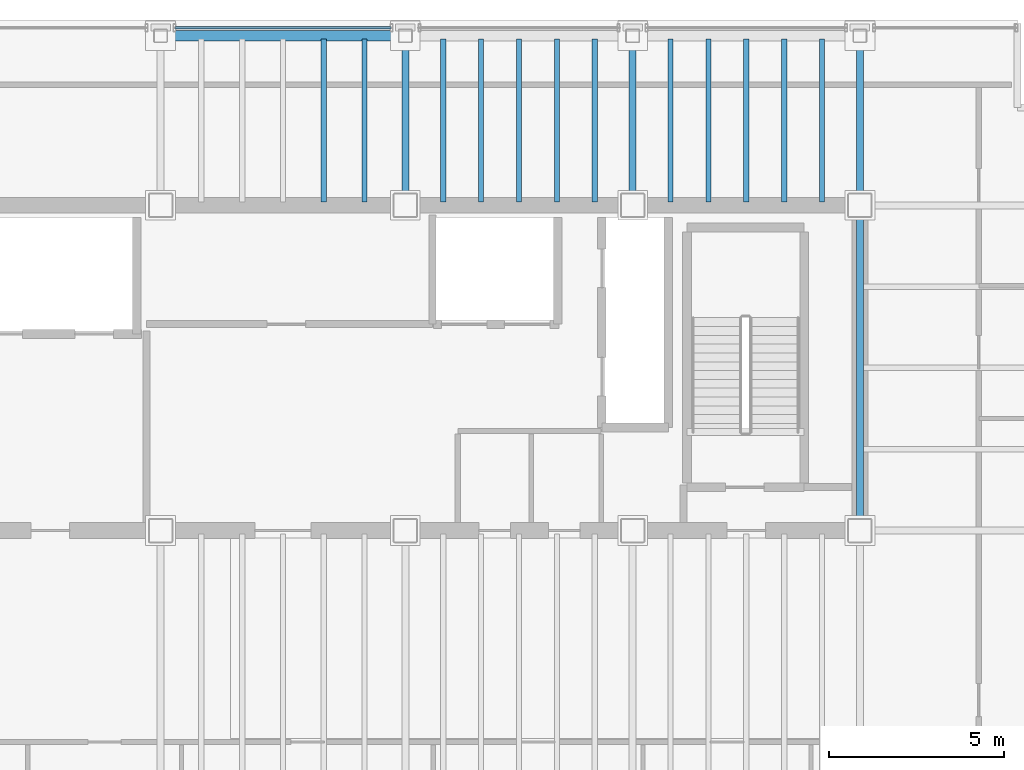
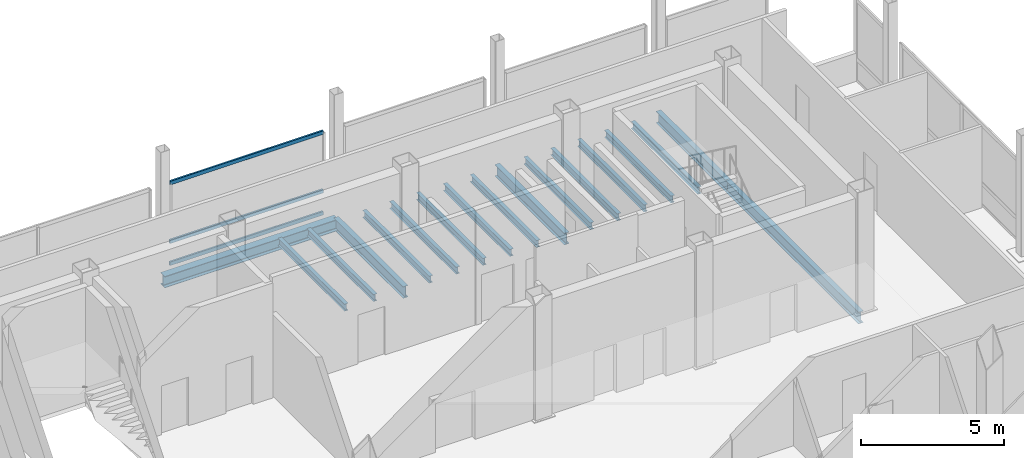
# One storey, part 10 of 17: 17 beams, 3 members, 1 element without a shape of its own.
"""IFC4 building model written with IfcOpenShell, lengths in metres."""

from ifc_helpers import new_model, si_unit, direction, frame, origin, origin_2d, place, context, subcontext, project, spatial, hollow_rectangle, i_section, extrude, material, material_profile, profile_set, type_object, element, aggregate, save


model = new_model("IFC4")

# Units and contexts
model_context = context("Model", 3, precision=1e-05, world=origin(), true_north=direction((0.0, 1.0)))
body_context = subcontext(model_context, "Body", "Model", "MODEL_VIEW")
ifc_project = project(units=[si_unit("LENGTHUNIT", "METRE"), si_unit("AREAUNIT", "SQUARE_METRE"), si_unit("VOLUMEUNIT", "CUBIC_METRE"), si_unit("PLANEANGLEUNIT", "RADIAN"), si_unit("MASSUNIT", "GRAM", prefix="KILO")], contexts=[model_context])

# Site, building, storey
site_placement = place(None, origin())
site = spatial("IfcSite", under=ifc_project, at=site_placement, CompositionType="ELEMENT")
building_placement = place(site_placement, origin())
building = spatial("IfcBuilding", under=site, at=building_placement, Name="Noeulbin Bourse Tower", CompositionType="ELEMENT")
storey_placement = place(building_placement, frame((0.0, 0.0, 300.800048828125)))
storey = spatial("IfcBuildingStorey", under=building, at=storey_placement, Name="L75", CompositionType="ELEMENT", Elevation=300.800048828125)

# Beams
ifc_material_1 = material(Name="Steel S355", Category="steel")
ifc_material_profile_1 = material_profile(ifc_material_1, i_section(OverallWidth=0.199951171875, OverallDepth=0.5, WebThickness=0.010009765625, FlangeThickness=0.01611328125, FilletRadius=0.02001953125, at=origin_2d()), Name="H-500x200x10x16", Category="LoadBearing")
ifc_profile_set_1 = profile_set([ifc_material_profile_1], Name="Steel S355")
beam_type_1 = type_object("IfcBeamType", Name="BM-GRD-500", PredefinedType="USERDEFINED", material=ifc_profile_set_1)
for number, where, z_axis, x_axis, name in (
    (1, (31.0, 38.300048828125, -0.429931640625), (0.0, 1.0, 0.0), (-1.0, 0.0, 0.0), "Tower Primary Girder NS L75-3.4"),
    (2, (37.5, 38.300048828125, -0.429931640625), (0.0, 1.0, 0.0), (-1.0, 0.0, 0.0), "Tower Primary Girder NS L75-4.4"),
):
    element("IfcBeam", number, at=place(storey_placement, frame(where, z_axis=z_axis, x_axis=x_axis)), inside=storey, type_object=beam_type_1, Name=name, ObjectType="GIRDER", PredefinedType="USERDEFINED", context=body_context, shape_type="SweptSolid", body=[
        extrude(i_section(OverallWidth=0.199951171875, OverallDepth=0.5, WebThickness=0.010009765625, FlangeThickness=0.01611328125, FilletRadius=0.02001953125, at=origin_2d()), origin(), (0.0, 0.0, 1.0), 4.849853515625),
    ])
beam_1_placement = place(storey_placement, frame((44.0, 29.0, -0.429931640625), z_axis=(0.0, 1.0, 0.0), x_axis=(-1.0, 0.0, 0.0)))
element("IfcBeam", 3, at=beam_1_placement, inside=storey, type_object=beam_type_1, Name="Tower Primary Girder NS L75-5.3", ObjectType="GIRDER", PredefinedType="USERDEFINED", context=body_context, shape_type="SweptSolid", body=[
    extrude(i_section(OverallWidth=0.199951171875, OverallDepth=0.5, WebThickness=0.010009765625, FlangeThickness=0.01611328125, FilletRadius=0.02001953125, at=origin_2d()), origin(), (0.0, 0.0, 1.0), 9.300048828125),
])
beam_2_placement = place(storey_placement, frame((44.0, 38.300048828125, -0.429931640625), z_axis=(0.0, 1.0, 0.0), x_axis=(-1.0, 0.0, 0.0)))
element("IfcBeam", 4, at=beam_2_placement, inside=storey, type_object=beam_type_1, Name="Tower Primary Girder NS L75-5.4", ObjectType="GIRDER", PredefinedType="USERDEFINED", context=body_context, shape_type="SweptSolid", body=[
    extrude(i_section(OverallWidth=0.199951171875, OverallDepth=0.5, WebThickness=0.010009765625, FlangeThickness=0.01611328125, FilletRadius=0.02001953125, at=origin_2d()), origin(), (0.0, 0.0, 1.0), 4.849853515625),
])
ifc_material_profile_2 = material_profile(ifc_material_1, i_section(OverallWidth=0.14990234375, OverallDepth=0.300048828125, WebThickness=0.006591796875, FlangeThickness=0.009033203125, FilletRadius=0.012939453125, at=origin_2d()), Name="H-300x150x6.5x9", Category="LoadBearing")
ifc_profile_set_2 = profile_set([ifc_material_profile_2], Name="Steel S355")
beam_type_2 = type_object("IfcBeamType", Name="BM-JST-300", PredefinedType="JOIST", material=ifc_profile_set_2)
for number, where, z_axis, x_axis, name in (
    (5, (28.666748046875, 38.39990234375, -0.330078125), (0.0, 1.0, 0.0), (-1.0, 0.0, 0.0), "Tower Composite Joist L75-08"),
    (6, (29.833251953125, 38.39990234375, -0.330078125), (0.0, 1.0, 0.0), (-1.0, 0.0, 0.0), "Tower Composite Joist L75-10"),
    (7, (32.083251953125, 38.39990234375, -0.330078125), (0.0, 1.0, 0.0), (-1.0, 0.0, 0.0), "Tower Composite Joist L75-12"),
    (8, (33.166748046875, 38.39990234375, -0.330078125), (0.0, 1.0, 0.0), (-1.0, 0.0, 0.0), "Tower Composite Joist L75-14"),
    (9, (34.25, 38.39990234375, -0.330078125), (0.0, 1.0, 0.0), (-1.0, 0.0, 0.0), "Tower Composite Joist L75-16"),
    (10, (35.333251953125, 38.39990234375, -0.330078125), (0.0, 1.0, 0.0), (-1.0, 0.0, 0.0), "Tower Composite Joist L75-18"),
    (11, (36.416748046875, 38.39990234375, -0.330078125), (0.0, 1.0, 0.0), (-1.0, 0.0, 0.0), "Tower Composite Joist L75-20"),
    (12, (38.583251953125, 38.39990234375, -0.330078125), (0.0, 1.0, 0.0), (-1.0, 0.0, 0.0), "Tower Composite Joist L75-22"),
    (13, (39.666748046875, 38.39990234375, -0.330078125), (0.0, 1.0, 0.0), (-1.0, 0.0, 0.0), "Tower Composite Joist L75-24"),
    (14, (40.75, 38.39990234375, -0.330078125), (0.0, 1.0, 0.0), (-1.0, 0.0, 0.0), "Tower Composite Joist L75-26"),
    (15, (41.833251953125, 38.39990234375, -0.330078125), (0.0, 1.0, 0.0), (-1.0, 0.0, 0.0), "Tower Composite Joist L75-28"),
    (16, (42.916748046875, 38.39990234375, -0.330078125), (0.0, 1.0, 0.0), (-1.0, 0.0, 0.0), "Tower Composite Joist L75-30"),
):
    element("IfcBeam", number, at=place(storey_placement, frame(where, z_axis=z_axis, x_axis=x_axis)), inside=storey, type_object=beam_type_2, Name=name, PredefinedType="JOIST", context=body_context, shape_type="SweptSolid", body=[
        extrude(i_section(OverallWidth=0.14990234375, OverallDepth=0.300048828125, WebThickness=0.006591796875, FlangeThickness=0.009033203125, FilletRadius=0.012939453125, at=origin_2d()), origin(), (0.0, 0.0, 1.0), 4.650146484375),
    ])
ifc_material_profile_3 = material_profile(ifc_material_1, i_section(OverallWidth=0.300048828125, OverallDepth=0.488037109375, WebThickness=0.010986328125, FlangeThickness=0.01806640625, FilletRadius=0.02197265625, at=origin_2d()), Name="H-488x300x11x18", Category="LoadBearing")
ifc_profile_set_3 = profile_set([ifc_material_profile_3], Name="Steel S355")
beam_type_3 = type_object("IfcBeamType", Name="BM-SPN-488", PredefinedType="SPANDREL", material=ifc_profile_set_3)
beam_3_placement = place(storey_placement, frame((24.0, 43.14990234375, -0.424072265625), z_axis=(1.0, 0.0, 0.0), x_axis=(0.0, 1.0, 0.0)))
element("IfcBeam", 17, at=beam_3_placement, inside=storey, type_object=beam_type_3, Name="North Spandrel L75-1", PredefinedType="SPANDREL", context=body_context, shape_type="SweptSolid", body=[
    extrude(i_section(OverallWidth=0.300048828125, OverallDepth=0.488037109375, WebThickness=0.010986328125, FlangeThickness=0.01806640625, FilletRadius=0.02197265625, at=origin_2d()), origin(), (0.0, 0.0, 1.0), 7.0),
])

# Curtain wall, members
ifc_material_2 = material(Name="High-Selectivity Low-Iron Glazing", Category="glass")
curtain_wall_type = type_object("IfcCurtainWallType", Name="CW-SYS-4", PredefinedType="NOTDEFINED", material=ifc_material_2)
curtain_wall_placement = place(storey_placement, origin())
curtain_wall = element("IfcCurtainWall", 18, at=curtain_wall_placement, inside=storey, type_object=curtain_wall_type, Name="Unitised Curtain Wall CW-L75-N-S2", PredefinedType="NOTDEFINED")
ifc_material_3 = material(Name="Anodised Aluminium 6063-T6", Category="aluminium")
ifc_material_profile_4 = material_profile(ifc_material_3, hollow_rectangle(XDim=0.074951171875, YDim=0.159912109375, WallThickness=0.0048828125, InnerFilletRadius=0.00244140625, OuterFilletRadius=0.0048828125, at=origin_2d()), Name="ALU-TRAN-75x160x5", Category="LoadBearing")
ifc_profile_set_4 = profile_set([ifc_material_profile_4], Name="Anodised Aluminium 6063-T6")
member_type = type_object("IfcMemberType", Name="CW-SYS-4-TRN", PredefinedType="USERDEFINED", material=ifc_profile_set_4)
member_1_placement = place(storey_placement, frame((24.409912109375, 43.3798828125, 0.010009765625), z_axis=(1.0, 0.0, 0.0), x_axis=(0.0, 1.0, 0.0)))
member_1 = element("IfcMember", 19, at=member_1_placement, type_object=member_type, Name="Curtain Wall Transom CW-L75-N-S2-T00", ObjectType="TRANSOM", PredefinedType="USERDEFINED", context=body_context, shape_type="SweptSolid", body=[
    extrude(hollow_rectangle(XDim=0.074951171875, YDim=0.159912109375, WallThickness=0.0048828125, InnerFilletRadius=0.00244140625, OuterFilletRadius=0.0048828125, at=origin_2d()), origin(), (0.0, 0.0, 1.0), 6.18017578125),
])
member_2_placement = place(storey_placement, frame((24.409912109375, 43.3798828125, 0.949951171875), z_axis=(1.0, 0.0, 0.0), x_axis=(0.0, 1.0, 0.0)))
member_2 = element("IfcMember", 20, at=member_2_placement, type_object=member_type, Name="Curtain Wall Transom CW-L75-N-S2-T01", ObjectType="TRANSOM", PredefinedType="USERDEFINED", context=body_context, shape_type="SweptSolid", body=[
    extrude(hollow_rectangle(XDim=0.074951171875, YDim=0.159912109375, WallThickness=0.0048828125, InnerFilletRadius=0.00244140625, OuterFilletRadius=0.0048828125, at=origin_2d()), origin(), (0.0, 0.0, 1.0), 6.18017578125),
])
member_3_placement = place(storey_placement, frame((24.409912109375, 43.3798828125, 3.449951171875), z_axis=(1.0, 0.0, 0.0), x_axis=(0.0, 1.0, 0.0)))
member_3 = element("IfcMember", 21, at=member_3_placement, type_object=member_type, Name="Curtain Wall Transom CW-L75-N-S2-T02", ObjectType="TRANSOM", PredefinedType="USERDEFINED", context=body_context, shape_type="SweptSolid", body=[
    extrude(hollow_rectangle(XDim=0.074951171875, YDim=0.159912109375, WallThickness=0.0048828125, InnerFilletRadius=0.00244140625, OuterFilletRadius=0.0048828125, at=origin_2d()), origin(), (0.0, 0.0, 1.0), 6.18017578125),
])
aggregate(curtain_wall, [member_1, member_2, member_3])

save(model, "model.ifc")
